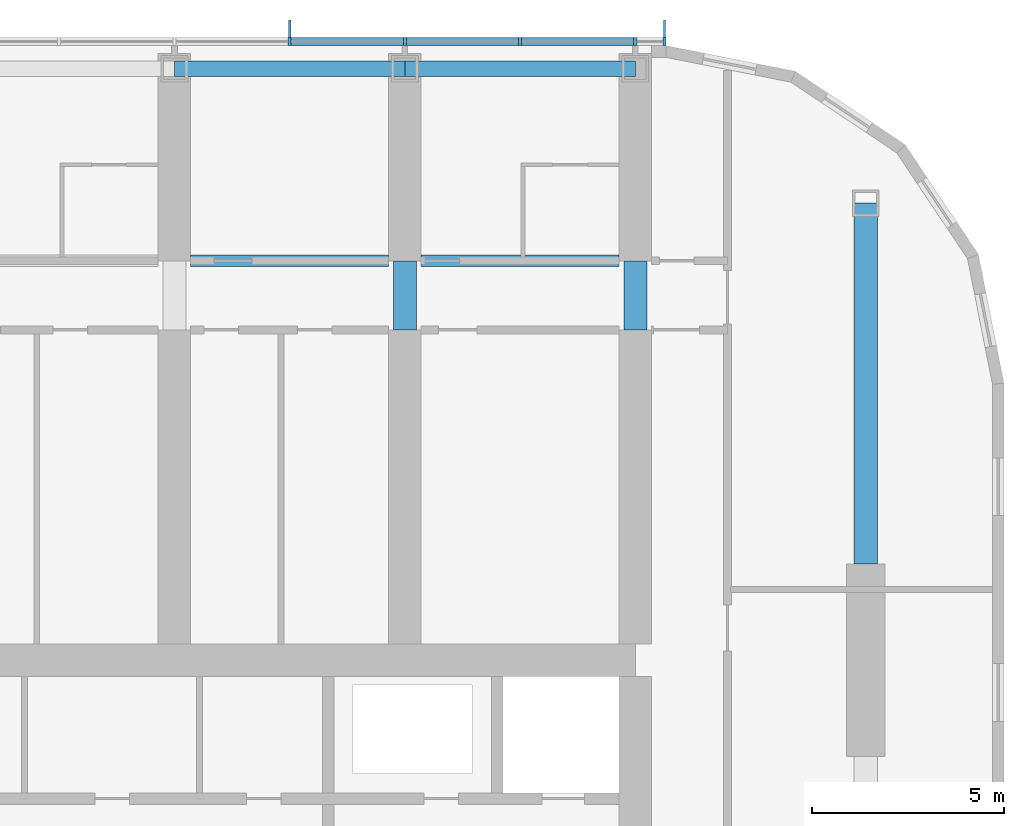
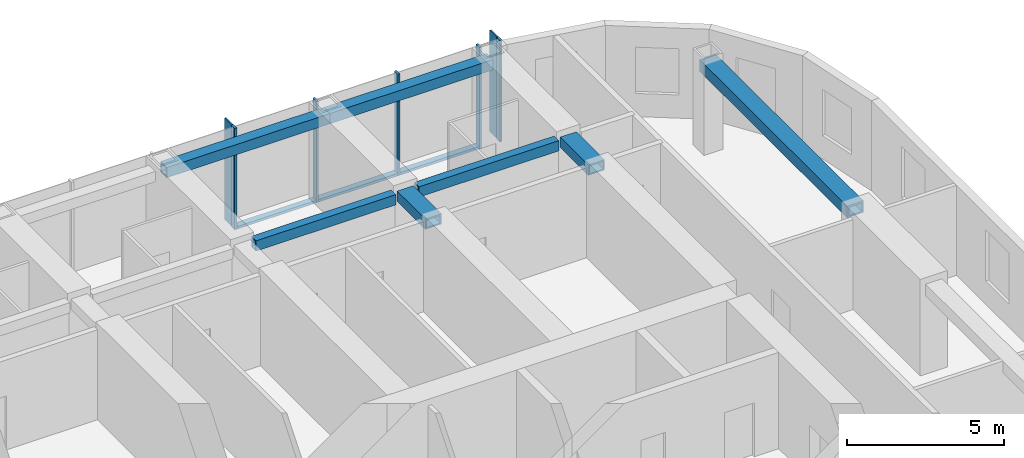
# One storey, part 9 of 29: 10 members, 7 beams, 1 element without a shape of its own.
"""IFC4 building model written with IfcOpenShell, lengths in metres."""

from ifc_helpers import new_model, si_unit, direction, frame, origin, origin_2d, place, context, subcontext, project, spatial, rectangle, hollow_rectangle, extrude, material, material_profile, profile_set, type_object, element, aggregate, save


model = new_model("IFC4")

# Units and contexts
model_context = context("Model", 3, precision=1e-05, world=origin(), true_north=direction((0.0, 1.0)))
body_context = subcontext(model_context, "Body", "Model", "MODEL_VIEW")
ifc_project = project(units=[si_unit("LENGTHUNIT", "METRE"), si_unit("AREAUNIT", "SQUARE_METRE"), si_unit("VOLUMEUNIT", "CUBIC_METRE"), si_unit("PLANEANGLEUNIT", "RADIAN"), si_unit("MASSUNIT", "GRAM", prefix="KILO")], contexts=[model_context])

# Site, building, storey
site_placement = place(None, origin())
site = spatial("IfcSite", under=ifc_project, at=site_placement, CompositionType="ELEMENT")
building_placement = place(site_placement, origin())
building = spatial("IfcBuilding", under=site, at=building_placement, Name="Orbita Commons", CompositionType="ELEMENT")
storey_placement = place(building_placement, frame((0.0, 0.0, 148.60009765625)))
storey = spatial("IfcBuildingStorey", under=building, at=storey_placement, Name="L36", CompositionType="ELEMENT", Elevation=148.60009765625)

# Curtain wall, members
ifc_material_1 = material(Name="Anodised aluminium frame, pale silver", Category="aluminium")
curtain_wall_type = type_object("IfcCurtainWallType", Name="Unitised curtain wall CW-U, full-height vision", PredefinedType="NOTDEFINED", material=ifc_material_1)
curtain_wall_placement = place(storey_placement, origin())
curtain_wall = element("IfcCurtainWall", 1, at=curtain_wall_placement, inside=storey, type_object=curtain_wall_type, Name="Curtain wall north L36", PredefinedType="NOTDEFINED")
ifc_material_2 = material(Name="Anodised aluminium, pale silver", Category="aluminium")
ifc_material_profile_1 = material_profile(ifc_material_2, rectangle(XDim=0.080078125, YDim=0.219970703125, at=origin_2d()), Name="AL 80x220")
ifc_profile_set_1 = profile_set([ifc_material_profile_1], Name="Anodised aluminium, pale silver")
member_type_1 = type_object("IfcMemberType", Name="Curtain wall mullion 80x220", PredefinedType="MULLION", material=ifc_profile_set_1)
member_1_placement = place(storey_placement, frame((66.760009765625, 54.31005859375, -0.4501953125), z_axis=(0.0, 0.0, 1.0), x_axis=(-1.0, 0.0, 0.0)))
member_1 = element("IfcMember", 2, at=member_1_placement, type_object=member_type_1, Name="Mullion 1 CW-L36-N", PredefinedType="MULLION", context=body_context, shape_type="SweptSolid", body=[
    extrude(rectangle(XDim=0.080078125, YDim=0.219970703125, at=origin_2d()), origin(), (0.0, 0.0, 1.0), 3.9501953125),
])
member_2_placement = place(storey_placement, frame((66.0, 54.31005859375, -0.4501953125), z_axis=(0.0, 0.0, 1.0), x_axis=(-1.0, 0.0, 0.0)))
member_2 = element("IfcMember", 3, at=member_2_placement, type_object=member_type_1, Name="Mullion 2 CW-L36-N", PredefinedType="MULLION", context=body_context, shape_type="SweptSolid", body=[
    extrude(rectangle(XDim=0.080078125, YDim=0.219970703125, at=origin_2d()), origin(), (0.0, 0.0, 1.0), 3.9501953125),
])
member_3_placement = place(storey_placement, frame((63.0, 54.31005859375, -0.4501953125), z_axis=(0.0, 0.0, 1.0), x_axis=(-1.0, 0.0, 0.0)))
member_3 = element("IfcMember", 4, at=member_3_placement, type_object=member_type_1, Name="Mullion 3 CW-L36-N", PredefinedType="MULLION", context=body_context, shape_type="SweptSolid", body=[
    extrude(rectangle(XDim=0.080078125, YDim=0.219970703125, at=origin_2d()), origin(), (0.0, 0.0, 1.0), 3.9501953125),
])
member_4_placement = place(storey_placement, frame((60.0, 54.31005859375, -0.4501953125), z_axis=(0.0, 0.0, 1.0), x_axis=(-1.0, 0.0, 0.0)))
member_4 = element("IfcMember", 5, at=member_4_placement, type_object=member_type_1, Name="Mullion 4 CW-L36-N", PredefinedType="MULLION", context=body_context, shape_type="SweptSolid", body=[
    extrude(rectangle(XDim=0.080078125, YDim=0.219970703125, at=origin_2d()), origin(), (0.0, 0.0, 1.0), 3.9501953125),
])
member_5_placement = place(storey_placement, frame((57.0, 54.31005859375, -0.4501953125), z_axis=(0.0, 0.0, 1.0), x_axis=(-1.0, 0.0, 0.0)))
member_5 = element("IfcMember", 6, at=member_5_placement, type_object=member_type_1, Name="Mullion 5 CW-L36-N", PredefinedType="MULLION", context=body_context, shape_type="SweptSolid", body=[
    extrude(rectangle(XDim=0.080078125, YDim=0.219970703125, at=origin_2d()), origin(), (0.0, 0.0, 1.0), 3.9501953125),
])
ifc_material_3 = material(Name="Anodised aluminium, pale silver", Category="aluminium")
ifc_material_profile_2 = material_profile(ifc_material_3, rectangle(XDim=0.219970703125, YDim=0.10009765625, at=origin_2d()), Name="AL 220x100")
ifc_profile_set_2 = profile_set([ifc_material_profile_2], Name="Anodised aluminium, pale silver")
member_type_2 = type_object("IfcMemberType", Name="Curtain wall stack transom 220x100", PredefinedType="USERDEFINED", material=ifc_profile_set_2)
member_6_placement = place(storey_placement, frame((65.9599609375, 54.31005859375, -0.400146484375), z_axis=(-1.0, 0.0, 0.0), x_axis=(0.0, -1.0, 0.0)))
member_6 = element("IfcMember", 7, at=member_6_placement, type_object=member_type_2, Name="Transom 2.1 CW-L36-N", ObjectType="TRANSOM", PredefinedType="USERDEFINED", context=body_context, shape_type="SweptSolid", body=[
    extrude(rectangle(XDim=0.219970703125, YDim=0.10009765625, at=origin_2d()), origin(), (0.0, 0.0, 1.0), 2.919921875),
])
member_7_placement = place(storey_placement, frame((62.9599609375, 54.31005859375, -0.400146484375), z_axis=(-1.0, 0.0, 0.0), x_axis=(0.0, -1.0, 0.0)))
member_7 = element("IfcMember", 8, at=member_7_placement, type_object=member_type_2, Name="Transom 3.1 CW-L36-N", ObjectType="TRANSOM", PredefinedType="USERDEFINED", context=body_context, shape_type="SweptSolid", body=[
    extrude(rectangle(XDim=0.219970703125, YDim=0.10009765625, at=origin_2d()), origin(), (0.0, 0.0, 1.0), 2.919921875),
])
member_8_placement = place(storey_placement, frame((59.9599609375, 54.31005859375, -0.400146484375), z_axis=(-1.0, 0.0, 0.0), x_axis=(0.0, -1.0, 0.0)))
member_8 = element("IfcMember", 9, at=member_8_placement, type_object=member_type_2, Name="Transom 4.1 CW-L36-N", ObjectType="TRANSOM", PredefinedType="USERDEFINED", context=body_context, shape_type="SweptSolid", body=[
    extrude(rectangle(XDim=0.219970703125, YDim=0.10009765625, at=origin_2d()), origin(), (0.0, 0.0, 1.0), 2.919921875),
])

# Beams
ifc_material_4 = material(Name="Steel ASTM A572 Gr 50 welded plate", Category="steel")
ifc_material_profile_3 = material_profile(ifc_material_4, hollow_rectangle(XDim=0.300048828125, YDim=0.39990234375, WallThickness=0.0400390625, at=origin_2d()), Name="BOX 400x300x40")
ifc_profile_set_3 = profile_set([ifc_material_profile_3], Name="Steel ASTM A572 Gr 50 welded plate")
beam_type_1 = type_object("IfcBeamType", Name="Steel corridor link BOX 400x300x40", PredefinedType="BEAM", material=ifc_profile_set_3)
for number, where, z_axis, x_axis, name in (
    (10, (54.425048828125, 48.60009765625, 3.2998046875), (1.0, 0.0, 0.0), (0.0, 1.0, 0.0), "Corridor beam NB 10-11 L36"),
    (11, (60.425048828125, 48.60009765625, 3.2998046875), (1.0, 0.0, 0.0), (0.0, 1.0, 0.0), "Corridor beam NB 11-12 L36"),
):
    element("IfcBeam", number, at=place(storey_placement, frame(where, z_axis=z_axis, x_axis=x_axis)), inside=storey, type_object=beam_type_1, Name=name, PredefinedType="BEAM", context=body_context, shape_type="SweptSolid", body=[
        extrude(hollow_rectangle(XDim=0.300048828125, YDim=0.39990234375, WallThickness=0.0400390625, at=origin_2d()), origin(), (0.0, 0.0, 1.0), 5.14990234375),
    ])
ifc_material_5 = material(Name="Steel ASTM A572 Gr 50 welded plate", Category="steel")
ifc_material_profile_4 = material_profile(ifc_material_5, hollow_rectangle(XDim=0.60009765625, YDim=0.39990234375, WallThickness=0.050048828125, at=origin_2d()), Name="BOX 400x600x50")
ifc_profile_set_4 = profile_set([ifc_material_profile_4], Name="Steel ASTM A572 Gr 50 welded plate")
beam_type_2 = type_object("IfcBeamType", Name="Steel coupling link BOX 400x600x50", PredefinedType="LINTEL", material=ifc_profile_set_4)
for number, where, z_axis, x_axis, name in (
    (12, (60.0, 46.800048828125, 3.2998046875), (0.0, 1.0, 0.0), (-1.0, 0.0, 0.0), "Coupling beam 11 north L36"),
    (13, (66.0, 46.800048828125, 3.2998046875), (0.0, 1.0, 0.0), (-1.0, 0.0, 0.0), "Coupling beam 12 north L36"),
):
    element("IfcBeam", number, at=place(storey_placement, frame(where, z_axis=z_axis, x_axis=x_axis)), inside=storey, type_object=beam_type_2, Name=name, PredefinedType="LINTEL", context=body_context, shape_type="SweptSolid", body=[
        extrude(hollow_rectangle(XDim=0.60009765625, YDim=0.39990234375, WallThickness=0.050048828125, at=origin_2d()), origin(), (0.0, 0.0, 1.0), 1.800048828125),
    ])
ifc_material_6 = material(Name="Steel ASTM A572 Gr 50 welded plate", Category="steel")
ifc_material_profile_5 = material_profile(ifc_material_6, hollow_rectangle(XDim=0.60009765625, YDim=0.449951171875, WallThickness=0.06005859375, at=origin_2d()), Name="BOX 450x600x60")
ifc_profile_set_5 = profile_set([ifc_material_profile_5], Name="Steel ASTM A572 Gr 50 welded plate")
beam_type_3 = type_object("IfcBeamType", Name="Steel end frame link BOX 450x600x60", PredefinedType="BEAM", material=ifc_profile_set_5)
beam_placement = place(storey_placement, frame((72.0, 40.699951171875, 3.27490234375), z_axis=(0.0, 1.0, 0.0), x_axis=(-1.0, 0.0, 0.0)))
element("IfcBeam", 14, at=beam_placement, inside=storey, type_object=beam_type_3, Name="End frame beam 13 D-E L36", PredefinedType="BEAM", context=body_context, shape_type="SweptSolid", body=[
    extrude(hollow_rectangle(XDim=0.60009765625, YDim=0.449951171875, WallThickness=0.06005859375, at=origin_2d()), origin(), (0.0, 0.0, 1.0), 9.400146484375),
])
ifc_material_7 = material(Name="Steel ASTM A572 Gr 50 welded plate", Category="steel")
ifc_material_profile_6 = material_profile(ifc_material_7, hollow_rectangle(XDim=0.39990234375, YDim=0.39990234375, WallThickness=0.0400390625, at=origin_2d()), Name="BOX 400x400x40")
ifc_profile_set_6 = profile_set([ifc_material_profile_6], Name="Steel ASTM A572 Gr 50 welded plate")
beam_type_4 = type_object("IfcBeamType", Name="Steel spandrel BOX 400x400x40", PredefinedType="SPANDREL", material=ifc_profile_set_6)
for number, where, z_axis, x_axis, name in (
    (15, (54.0, 53.60009765625, 3.2998046875), (1.0, 0.0, 0.0), (0.0, 1.0, 0.0), "Spandrel beam E 10-11 L36"),
    (16, (60.0, 53.60009765625, 3.2998046875), (1.0, 0.0, 0.0), (0.0, 1.0, 0.0), "Spandrel beam E 11-12 L36"),
):
    element("IfcBeam", number, at=place(storey_placement, frame(where, z_axis=z_axis, x_axis=x_axis)), inside=storey, type_object=beam_type_4, Name=name, PredefinedType="SPANDREL", context=body_context, shape_type="SweptSolid", body=[
        extrude(hollow_rectangle(XDim=0.39990234375, YDim=0.39990234375, WallThickness=0.0400390625, at=origin_2d()), origin(), (0.0, 0.0, 1.0), 6.0),
    ])

# Member
ifc_material_8 = material(Name="Anodised aluminium, pale silver", Category="aluminium")
ifc_material_profile_7 = material_profile(ifc_material_8, rectangle(XDim=0.06005859375, YDim=0.449951171875, at=origin_2d()), Name="FIN 60x450")
ifc_profile_set_7 = profile_set([ifc_material_profile_7], Name="Anodised aluminium, pale silver")
member_type_3 = type_object("IfcMemberType", Name="Vertical fin 60x450 pale aluminium", PredefinedType="USERDEFINED", material=ifc_profile_set_7)
member_9_placement = place(storey_placement, frame((66.760009765625, 54.64501953125, -0.4501953125), z_axis=(0.0, 0.0, 1.0), x_axis=(-1.0, 0.0, 0.0)))
member_9 = element("IfcMember", 17, at=member_9_placement, type_object=member_type_3, Name="Fin 1 CW-L36-N", ObjectType="FIN", PredefinedType="USERDEFINED", context=body_context, shape_type="SweptSolid", body=[
    extrude(rectangle(XDim=0.06005859375, YDim=0.449951171875, at=origin_2d()), origin(), (0.0, 0.0, 1.0), 3.9501953125),
])

member_10_placement = place(storey_placement, frame((57.0, 54.64501953125, -0.4501953125), z_axis=(0.0, 0.0, 1.0), x_axis=(-1.0, 0.0, 0.0)))
member_10 = element("IfcMember", 18, at=member_10_placement, type_object=member_type_3, Name="Fin 5 CW-L36-N", ObjectType="FIN", PredefinedType="USERDEFINED", context=body_context, shape_type="SweptSolid", body=[
    extrude(rectangle(XDim=0.06005859375, YDim=0.449951171875, at=origin_2d()), origin(), (0.0, 0.0, 1.0), 3.9501953125),
])

aggregate(curtain_wall, [member_1, member_9, member_2, member_3, member_4, member_5, member_10, member_6, member_7, member_8])

save(model, "model.ifc")
